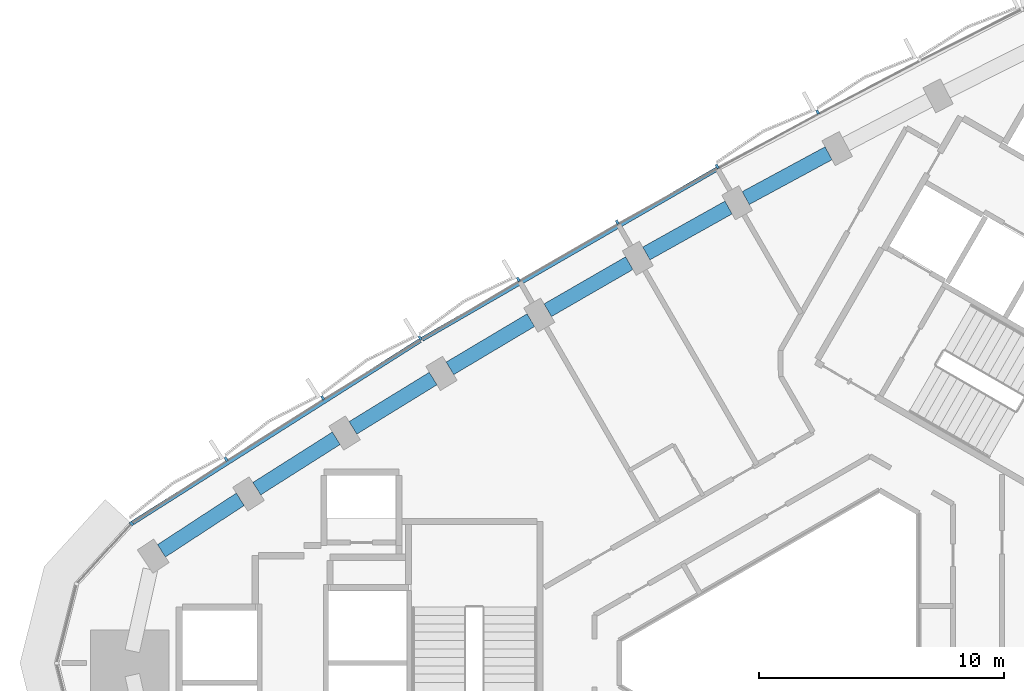
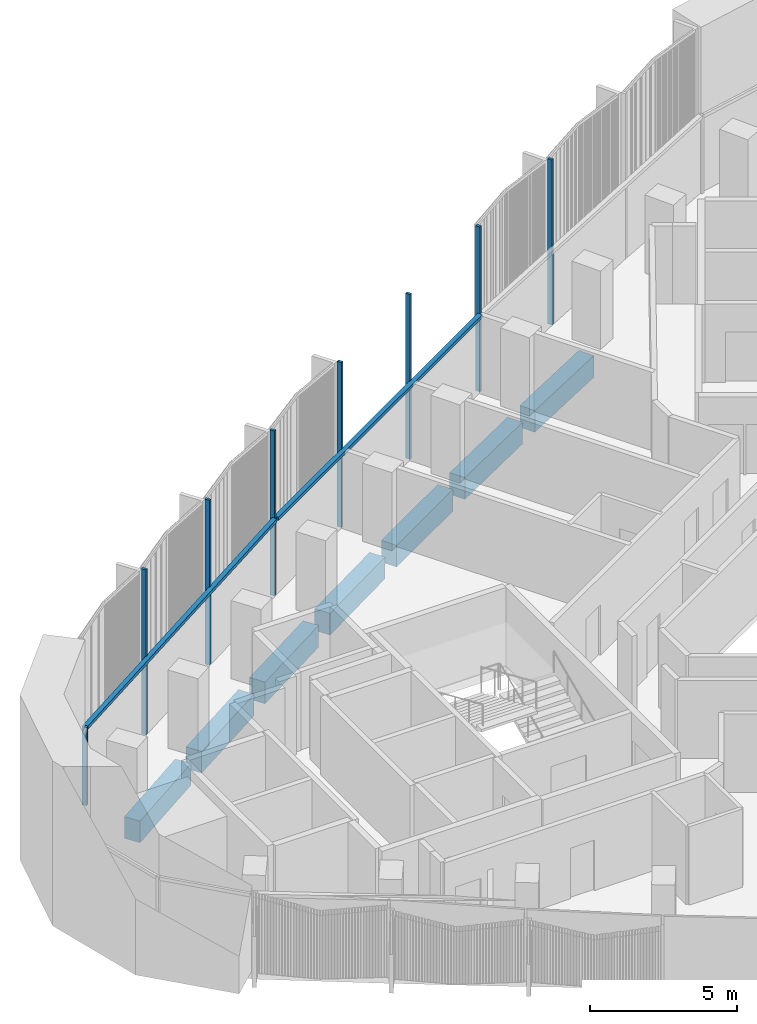
# One storey, part 4 of 14: 10 members, 7 beams, 1 element without a shape of its own.
"""IFC4 building model written with IfcOpenShell, lengths in metres."""

import ifcopenshell
import ifcopenshell.guid

model = None  # the IFC model being written
_history = None  # IfcOwnerHistory: only IFC2X3 demands one
_inside = {}  # id of a spatial element -> (the spatial element, [elements in it])
_under = {}  # id of a project, library or spatial element -> (it, [spatial elements below it])
_declared = {}  # id of a project -> (the project, [libraries it declares])
_typed = {}  # id of a type object -> (the type object, [elements of that type])
_made_of = {}  # id of a material, layer set ... -> (it, [elements and type objects made of it])


def new_model(schema):
    """Start an empty IFC model of exactly this schema.

    Asked for "IFC4X3", IfcOpenShell would pick the latest addendum, in which some entities
    have other attributes; the version numbers below select the first issue.
    IFC2X3 requires an IfcOwnerHistory on every rooted entity: one is made here for all.
    """
    global model, _history
    if schema == "IFC4X3":
        model = ifcopenshell.file(schema_version=(4, 3, 0, 0))
    else:
        model = ifcopenshell.file(schema=schema)
    _inside.clear()
    _under.clear()
    _declared.clear()
    _typed.clear()
    _made_of.clear()
    _history = None
    if model.schema == "IFC2X3":
        org = make("IfcOrganization", Name="unknown")
        user = make(
            "IfcPersonAndOrganization",
            ThePerson=make("IfcPerson", FamilyName="unknown"),
            TheOrganization=org,
        )
        app = make(
            "IfcApplication",
            ApplicationDeveloper=org,
            Version="unknown",
            ApplicationFullName="unknown",
            ApplicationIdentifier="unknown",
        )
        _history = make(
            "IfcOwnerHistory",
            OwningUser=user,
            OwningApplication=app,
            ChangeAction="ADDED",
            CreationDate=0,
        )
    return model


def make(cls, **values):
    """One entity of the class cls with the attributes given. An attribute that is None is left unset."""
    return model.create_entity(
        cls, **{name: value for name, value in values.items() if value is not None}
    )


def rooted(cls, **values):
    """An entity with a GlobalId (a new one), such as an element, a storey or a relation."""
    return make(cls, GlobalId=ifcopenshell.guid.new(), OwnerHistory=_history, **values)


def si_unit(unit_type, name, prefix=None):
    """IfcSIUnit, for example si_unit("LENGTHUNIT", "METRE", prefix="MILLI")."""
    return make("IfcSIUnit", UnitType=unit_type, Prefix=prefix, Name=name)


def assignment(units):
    """IfcUnitAssignment: the units of a project."""
    return None if units is None else make("IfcUnitAssignment", Units=units)


def point(xyz):
    """IfcCartesianPoint."""
    return None if xyz is None else make("IfcCartesianPoint", Coordinates=xyz)


def direction(xyz):
    """IfcDirection."""
    return None if xyz is None else make("IfcDirection", DirectionRatios=xyz)


def frame(location, z_axis=None, x_axis=None):
    """IfcAxis2Placement3D, a coordinate frame: its origin and axes. An axis left out is left unset."""
    return make(
        "IfcAxis2Placement3D",
        Location=point(location),
        Axis=direction(z_axis),
        RefDirection=direction(x_axis),
    )


def frame_2d(location, x_axis=None):
    """IfcAxis2Placement2D, a coordinate frame in the plane: its origin and x axis."""
    return make(
        "IfcAxis2Placement2D", Location=point(location), RefDirection=direction(x_axis)
    )


def origin():
    """The frame at (0, 0, 0) with its axes left unset."""
    return frame((0.0, 0.0, 0.0))


def origin_2d():
    """The frame at (0, 0) in the plane with its x axis left unset."""
    return frame_2d((0.0, 0.0))


def place(relative_to, where):
    """IfcLocalPlacement: puts the frame where relative to a parent placement (None: the world)."""
    return make(
        "IfcLocalPlacement", PlacementRelTo=relative_to, RelativePlacement=where
    )


def context(
    kind, dimensions, precision=None, world=None, true_north=None, identifier=None
):
    """IfcGeometricRepresentationContext, for example the 3D "Model" context."""
    return make(
        "IfcGeometricRepresentationContext",
        ContextIdentifier=identifier,
        ContextType=kind,
        CoordinateSpaceDimension=dimensions,
        Precision=precision,
        WorldCoordinateSystem=world,
        TrueNorth=true_north,
    )


def subcontext(parent, identifier, kind, view, scale=None):
    """IfcGeometricRepresentationSubContext, for example "Body" below "Model"."""
    return make(
        "IfcGeometricRepresentationSubContext",
        ContextIdentifier=identifier,
        ContextType=kind,
        ParentContext=parent,
        TargetScale=scale,
        TargetView=view,
    )


def project(units=None, contexts=None):
    """IfcProject with its units and contexts."""
    return rooted(
        "IfcProject",
        Name="project",
        RepresentationContexts=contexts,
        UnitsInContext=assignment(units),
    )


def spatial(cls, under=None, at=None, **own):
    """A site, building, storey or space (cls), placed at a placement, below another one or the project."""
    s = rooted(cls, ObjectPlacement=at, **own)
    if under is not None:
        _under.setdefault(under.id(), (under, []))[1].append(s)
    return s


def profile(cls, at=None, kind="AREA", **sizes):
    """A parametric profile (cls). Its sizes go by their IFC names, for example OverallWidth=200.0."""
    return make(cls, ProfileType=kind, Position=at, **sizes)


def rectangle(**sizes):
    """IfcRectangleProfileDef."""
    return profile("IfcRectangleProfileDef", **sizes)


def extrude(swept, where, along, depth):
    """IfcExtrudedAreaSolid: the profile swept, set in the frame where, extruded along a direction by depth."""
    return make(
        "IfcExtrudedAreaSolid",
        SweptArea=swept,
        Position=where,
        ExtrudedDirection=direction(along),
        Depth=depth,
    )


def shape(context_of_items, identifier, shape_type, items):
    """IfcShapeRepresentation: the items that make up one representation, for example the "Body"."""
    return make(
        "IfcShapeRepresentation",
        ContextOfItems=context_of_items,
        RepresentationIdentifier=identifier,
        RepresentationType=shape_type,
        Items=items,
    )


def material(Name=None, Category=None):
    """IfcMaterial."""
    return make("IfcMaterial", Name=Name, Category=Category)


def material_profile(
    of_material, cross_section, Name=None, Category=None, Priority=None
):
    """IfcMaterialProfile: a cross section and its material."""
    return make(
        "IfcMaterialProfile",
        Name=Name,
        Material=of_material,
        Profile=cross_section,
        Priority=Priority,
        Category=Category,
    )


def profile_set(profiles, Name=None, composite=None):
    """IfcMaterialProfileSet."""
    return make(
        "IfcMaterialProfileSet",
        Name=Name,
        MaterialProfiles=profiles,
        CompositeProfile=composite,
    )


def made_of(thing, what):
    """Note that an element or type object is made of a material, layer set ...; save() writes the relation."""
    if what is not None:
        _made_of.setdefault(what.id(), (what, []))[1].append(thing)
    return thing


def type_object(cls, material=None, **own):
    """A type object (cls), such as IfcWallType, which elements share."""
    return made_of(rooted(cls, **own), material)


def element(
    cls,
    number,
    at=None,
    inside=None,
    cuts=None,
    type_object=None,
    material=None,
    context=None,
    identifier="Body",
    shape_type=None,
    held_by="IfcProductDefinitionShape",
    body=None,
    shapes=None,
    **own,
):
    """One element of the class cls, such as IfcWall. Its Tag is "e" and its number.

    at: its placement. inside: the storey or other place that contains it. cuts: it is an
    opening in that element (IfcRelVoidsElement). A single representation is given by context,
    identifier, shape_type and body (its items); several are given by shapes. held_by: the class
    of the entity that holds the representations. save() writes the other relations.
    """
    e = rooted(cls, Tag="e%d" % number, ObjectPlacement=at, **own)
    if body is not None:
        shapes = [shape(context, identifier, shape_type, body)]
    if shapes is not None:
        e.Representation = make(held_by, Representations=shapes)
    if inside is not None:
        _inside.setdefault(inside.id(), (inside, []))[1].append(e)
    if cuts is not None:
        rooted(
            "IfcRelVoidsElement", RelatingBuildingElement=cuts, RelatedOpeningElement=e
        )
    if type_object is not None:
        _typed.setdefault(type_object.id(), (type_object, []))[1].append(e)
    return made_of(e, material)


def aggregate(whole, parts):
    """IfcRelAggregates: a whole, such as a stair, and the parts it consists of."""
    return rooted("IfcRelAggregates", RelatingObject=whole, RelatedObjects=parts)


def save(model, path):
    """Write the relations noted so far, then the file.

    IfcRelAggregates (storeys below a building ...), IfcRelContainedInSpatialStructure (elements
    in a storey), IfcRelDefinesByType, IfcRelAssociatesMaterial and IfcRelDeclares: one each for
    every whole, place, type object, material and project.
    """
    for whole, parts in _under.values():
        aggregate(whole, parts)
    for where, things in _inside.values():
        rooted(
            "IfcRelContainedInSpatialStructure",
            RelatedElements=things,
            RelatingStructure=where,
        )
    for kind, things in _typed.values():
        rooted("IfcRelDefinesByType", RelatedObjects=things, RelatingType=kind)
    for what, things in _made_of.values():
        rooted("IfcRelAssociatesMaterial", RelatedObjects=things, RelatingMaterial=what)
    for by, libraries in _declared.values():
        rooted("IfcRelDeclares", RelatingContext=by, RelatedDefinitions=libraries)
    model.write(path)


model = new_model("IFC4")

# Units and contexts
model_context = context("Model", 3, precision=1e-05, world=origin(), true_north=direction((0.0, 1.0)))
body_context = subcontext(model_context, "Body", "Model", "MODEL_VIEW")
ifc_project = project(units=[si_unit("LENGTHUNIT", "METRE"), si_unit("AREAUNIT", "SQUARE_METRE"), si_unit("VOLUMEUNIT", "CUBIC_METRE"), si_unit("PLANEANGLEUNIT", "RADIAN"), si_unit("MASSUNIT", "GRAM", prefix="KILO")], contexts=[model_context])

# Site, building, storey
site_placement = place(None, origin())
site = spatial("IfcSite", under=ifc_project, at=site_placement, CompositionType="ELEMENT")
building_placement = place(site_placement, origin())
building = spatial("IfcBuilding", under=site, at=building_placement, Name="Tamra Quay Hotel Tower", CompositionType="ELEMENT")
storey_placement = place(building_placement, frame((0.0, 0.0, 175.60009765625)))
storey = spatial("IfcBuildingStorey", under=building, at=storey_placement, Name="L43", CompositionType="ELEMENT", Elevation=175.60009765625)

# Curtain wall, members
ifc_material_1 = material(Name="Aluminium 6063 anodised dark grey", Category="aluminium")
curtain_wall_type = type_object("IfcCurtainWallType", Name="CW2 CURTAIN WALL", PredefinedType="NOTDEFINED", material=ifc_material_1)
curtain_wall_placement = place(storey_placement, origin())
curtain_wall = element("IfcCurtainWall", 1, at=curtain_wall_placement, inside=storey, type_object=curtain_wall_type, Name="CW2 north-west face L43", PredefinedType="NOTDEFINED")
ifc_material_profile_1 = material_profile(ifc_material_1, rectangle(XDim=0.179931640625, YDim=0.10009765625, at=origin_2d()), Name="MULLION 100X180")
ifc_profile_set_1 = profile_set([ifc_material_profile_1], Name="Aluminium 6063 anodised dark grey")
member_type_1 = type_object("IfcMemberType", Name="MULLION CW2 Z4", PredefinedType="MULLION", material=ifc_profile_set_1)
member_1_placement = place(storey_placement, frame((0.4853515625, 22.458984375, 0.0), z_axis=(0.0, 0.0, 1.0), x_axis=(-0.469667598909, 0.882843330685, 0.0)))
member_1 = element("IfcMember", 2, at=member_1_placement, type_object=member_type_1, Name="CW2 mullion L43.NW.3", PredefinedType="MULLION", context=body_context, shape_type="SweptSolid", body=[
    extrude(rectangle(XDim=0.179931640625, YDim=0.10009765625, at=origin_2d()), origin(), (0.0, 0.0, 1.0), 6.849853515625),
])
member_2_placement = place(storey_placement, frame((-3.613525390625, 20.24169921875, 0.0), z_axis=(0.0, 0.0, 1.0), x_axis=(-0.481860669962, 0.876247850065, 0.0)))
member_2 = element("IfcMember", 3, at=member_2_placement, type_object=member_type_1, Name="CW2 mullion L43.NW.4", PredefinedType="MULLION", context=body_context, shape_type="SweptSolid", body=[
    extrude(rectangle(XDim=0.179931640625, YDim=0.10009765625, at=origin_2d()), origin(), (0.0, 0.0, 1.0), 6.849853515625),
])
member_3_placement = place(storey_placement, frame((-7.682373046875, 17.967529296875, 0.0), z_axis=(0.0, 0.0, 1.0), x_axis=(-0.493974991142, 0.869476111303, 0.0)))
member_3 = element("IfcMember", 4, at=member_3_placement, type_object=member_type_1, Name="CW2 mullion L43.NW.5", PredefinedType="MULLION", context=body_context, shape_type="SweptSolid", body=[
    extrude(rectangle(XDim=0.179931640625, YDim=0.10009765625, at=origin_2d()), origin(), (0.0, 0.0, 1.0), 6.849853515625),
])
member_4_placement = place(storey_placement, frame((-11.718994140625, 15.636962890625, 0.0), z_axis=(0.0, 0.0, 1.0), x_axis=(-0.506000904801, 0.862532946814, 0.0)))
member_4 = element("IfcMember", 5, at=member_4_placement, type_object=member_type_1, Name="CW2 mullion L43.NW.6", PredefinedType="MULLION", context=body_context, shape_type="SweptSolid", body=[
    extrude(rectangle(XDim=0.179931640625, YDim=0.10009765625, at=origin_2d()), origin(), (0.0, 0.0, 1.0), 6.849853515625),
])
member_5_placement = place(storey_placement, frame((-15.72314453125, 13.25048828125, 0.0), z_axis=(0.0, 0.0, 1.0), x_axis=(-0.517922563187, 0.855427506304, 0.0)))
member_5 = element("IfcMember", 6, at=member_5_placement, type_object=member_type_1, Name="CW2 mullion L43.NW.7", PredefinedType="MULLION", context=body_context, shape_type="SweptSolid", body=[
    extrude(rectangle(XDim=0.179931640625, YDim=0.10009765625, at=origin_2d()), origin(), (0.0, 0.0, 1.0), 6.849853515625),
])
member_6_placement = place(storey_placement, frame((-19.69287109375, 10.80908203125, 0.0), z_axis=(0.0, 0.0, 1.0), x_axis=(-0.52973095248, 0.848165737332, 0.0)))
member_6 = element("IfcMember", 7, at=member_6_placement, type_object=member_type_1, Name="CW2 mullion L43.NW.8", PredefinedType="MULLION", context=body_context, shape_type="SweptSolid", body=[
    extrude(rectangle(XDim=0.179931640625, YDim=0.10009765625, at=origin_2d()), origin(), (0.0, 0.0, 1.0), 6.849853515625),
])
member_7_placement = place(storey_placement, frame((-23.629150390625, 8.3125, 0.0), z_axis=(0.0, 0.0, 1.0), x_axis=(-0.541421874538, 0.840751065282, 0.0)))
member_7 = element("IfcMember", 8, at=member_7_placement, type_object=member_type_1, Name="CW2 mullion L43.NW.9", PredefinedType="MULLION", context=body_context, shape_type="SweptSolid", body=[
    extrude(rectangle(XDim=0.179931640625, YDim=0.10009765625, at=origin_2d()), origin(), (0.0, 0.0, 1.0), 6.849853515625),
])
member_8_placement = place(storey_placement, frame((-27.48046875, 5.687255859375, 0.0), z_axis=(0.0, 0.0, 1.0), x_axis=(-0.648381346761, 0.7613157224, 0.0)))
member_8 = element("IfcMember", 9, at=member_8_placement, type_object=member_type_1, Name="CW2 mullion L43.NW.10", PredefinedType="MULLION", context=body_context, shape_type="SweptSolid", body=[
    extrude(rectangle(XDim=0.179931640625, YDim=0.10009765625, at=origin_2d()), origin(), (0.0, 0.0, 1.0), 3.25),
])

# Beams
ifc_material_2 = material(Name="Concrete M60", Category="concrete")
ifc_material_profile_2 = material_profile(ifc_material_2, rectangle(XDim=0.60009765625, YDim=0.89990234375, at=origin_2d()), Name="SPANDREL BEAM RC 600x900")
ifc_profile_set_2 = profile_set([ifc_material_profile_2], Name="Concrete M60")
beam_type = type_object("IfcBeamType", Name="SPANDREL BEAM RC 600x900", PredefinedType="SPANDREL", material=ifc_profile_set_2)
beam_1_placement = place(storey_placement, frame((0.927490234375, 20.77783203125, -0.800048828125), z_axis=(-0.879589264525, -0.475733881211, 0.0), x_axis=(0.475733881211, -0.879589264525, 0.0)))
element("IfcBeam", 10, at=beam_1_placement, inside=storey, type_object=beam_type, Name="BM-SP4-013-L43", PredefinedType="SPANDREL", context=body_context, shape_type="SweptSolid", body=[
    extrude(rectangle(XDim=0.60009765625, YDim=0.89990234375, at=origin_2d()), origin(), (0.0, 0.0, 1.0), 3.838134765625),
])
for number, where, z_axis, x_axis, name in (
    (11, (-3.1494140625, 18.56640625, -0.800048828125), (-0.872890885292, -0.487915466422, 0.0), (0.487915466422, -0.872890885292, 0.0), "BM-SP4-014-L43"),
    (12, (-7.194580078125, 16.298828125, -0.800048828125), (-0.866022424722, -0.500005159851, 0.0), (0.500005159851, -0.866022424722, 0.0), "BM-SP4-015-L43"),
):
    element("IfcBeam", number, at=place(storey_placement, frame(where, z_axis=z_axis, x_axis=x_axis)), inside=storey, type_object=beam_type, Name=name, PredefinedType="SPANDREL", context=body_context, shape_type="SweptSolid", body=[
        extrude(rectangle(XDim=0.60009765625, YDim=0.89990234375, at=origin_2d()), origin(), (0.0, 0.0, 1.0), 3.83740234375),
    ])
beam_2_placement = place(storey_placement, frame((-11.2080078125, 13.975341796875, -0.800048828125), z_axis=(-0.858982487636, -0.512004966708, 0.0), x_axis=(0.512004966708, -0.858982487636, 0.0)))
element("IfcBeam", 13, at=beam_2_placement, inside=storey, type_object=beam_type, Name="BM-SP4-016-L43", PredefinedType="SPANDREL", context=body_context, shape_type="SweptSolid", body=[
    extrude(rectangle(XDim=0.60009765625, YDim=0.89990234375, at=origin_2d()), origin(), (0.0, 0.0, 1.0), 3.837646484375),
])
beam_3_placement = place(storey_placement, frame((-15.188720703125, 11.59619140625, -0.800048828125), z_axis=(-0.851817714835, -0.523838315411, 0.0), x_axis=(0.523838315411, -0.851817714835, 0.0)))
element("IfcBeam", 14, at=beam_3_placement, inside=storey, type_object=beam_type, Name="BM-SP4-017-L43", PredefinedType="SPANDREL", context=body_context, shape_type="SweptSolid", body=[
    extrude(rectangle(XDim=0.60009765625, YDim=0.89990234375, at=origin_2d()), origin(), (0.0, 0.0, 1.0), 3.837890625),
])
for number, where, z_axis, x_axis, name in (
    (15, (-19.136474609375, 9.162109375, -0.800048828125), (-0.844469978785, -0.535602889211, 0.0), (0.535602889211, -0.844469978785, 0.0), "BM-SP4-018-L43"),
    (16, (-23.0498046875, 6.673583984375, -0.800048828125), (-0.836969613974, -0.547249362983, 0.0), (0.547249362983, -0.836969613974, 0.0), "BM-SP4-019-L43"),
):
    element("IfcBeam", number, at=place(storey_placement, frame(where, z_axis=z_axis, x_axis=x_axis)), inside=storey, type_object=beam_type, Name=name, PredefinedType="SPANDREL", context=body_context, shape_type="SweptSolid", body=[
        extrude(rectangle(XDim=0.60009765625, YDim=0.89990234375, at=origin_2d()), origin(), (0.0, 0.0, 1.0), 3.837646484375),
    ])

# Member
ifc_material_profile_3 = material_profile(ifc_material_1, rectangle(XDim=0.179931640625, YDim=0.139892578125, at=origin_2d()), Name="TRANSOM 180X140")
ifc_profile_set_3 = profile_set([ifc_material_profile_3], Name="Aluminium 6063 anodised dark grey")
member_type_2 = type_object("IfcMemberType", Name="TRANSOM CW2 Z4", PredefinedType="USERDEFINED", material=ifc_profile_set_3)
member_9_placement = place(storey_placement, frame((-3.614013671875, 20.138671875, 3.179931640625), z_axis=(-0.866018612845, -0.500011762068, 0.0), x_axis=(0.500011762068, -0.866018612845, 0.0)))
member_9 = element("IfcMember", 17, at=member_9_placement, type_object=member_type_2, Name="CW2 transom L43.NW.4", ObjectType="TRANSOM", PredefinedType="USERDEFINED", context=body_context, shape_type="SweptSolid", body=[
    extrude(rectangle(XDim=0.179931640625, YDim=0.139892578125, at=origin_2d()), origin(), (0.0, 0.0, 1.0), 13.879150390625),
])

member_10_placement = place(storey_placement, frame((-15.718994140625, 13.147216796875, 3.179931640625), z_axis=(-0.844484125962, -0.535580583105, 0.0), x_axis=(0.535580583105, -0.844484125962, 0.0)))
member_10 = element("IfcMember", 18, at=member_10_placement, type_object=member_type_2, Name="CW2 transom L43.NW.7", ObjectType="TRANSOM", PredefinedType="USERDEFINED", context=body_context, shape_type="SweptSolid", body=[
    extrude(rectangle(XDim=0.179931640625, YDim=0.139892578125, at=origin_2d()), origin(), (0.0, 0.0, 1.0), 13.877685546875),
])

aggregate(curtain_wall, [member_1, member_2, member_9, member_3, member_4, member_5, member_10, member_6, member_7, member_8])

save(model, "model.ifc")
